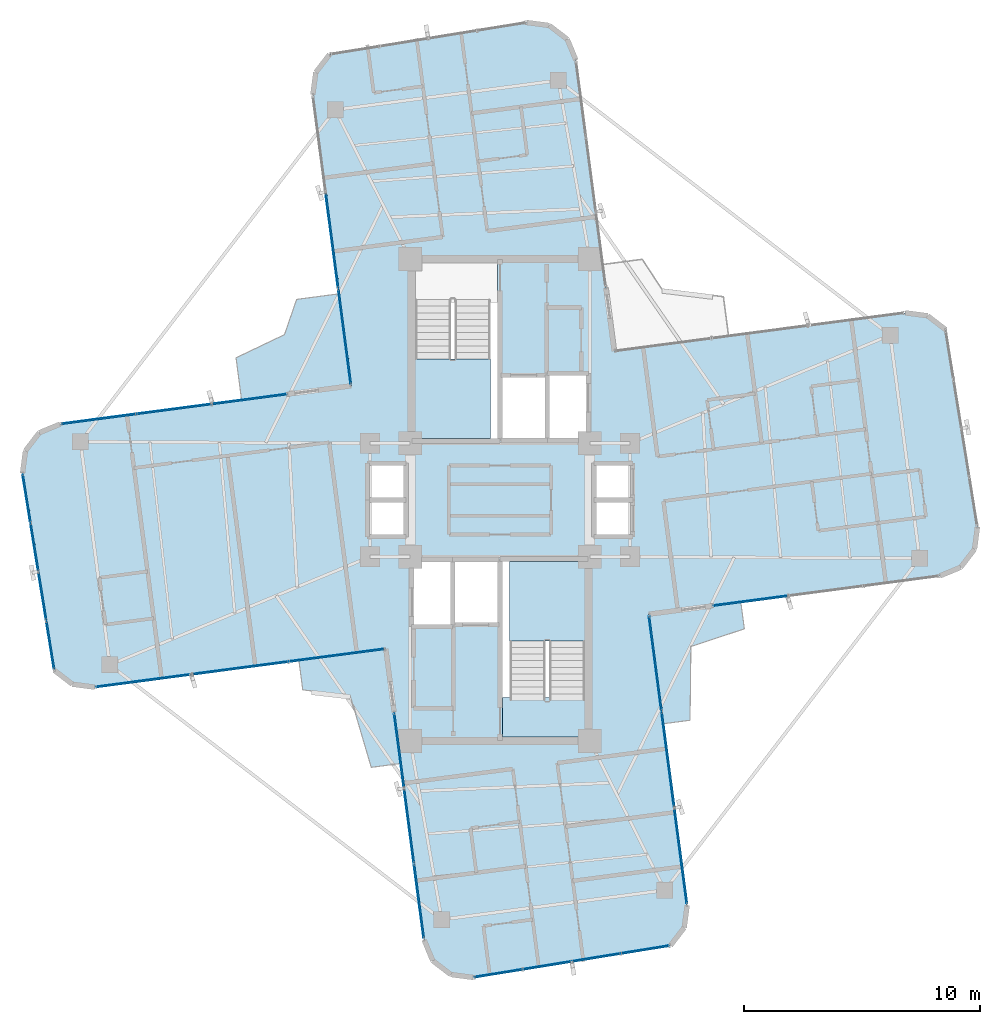
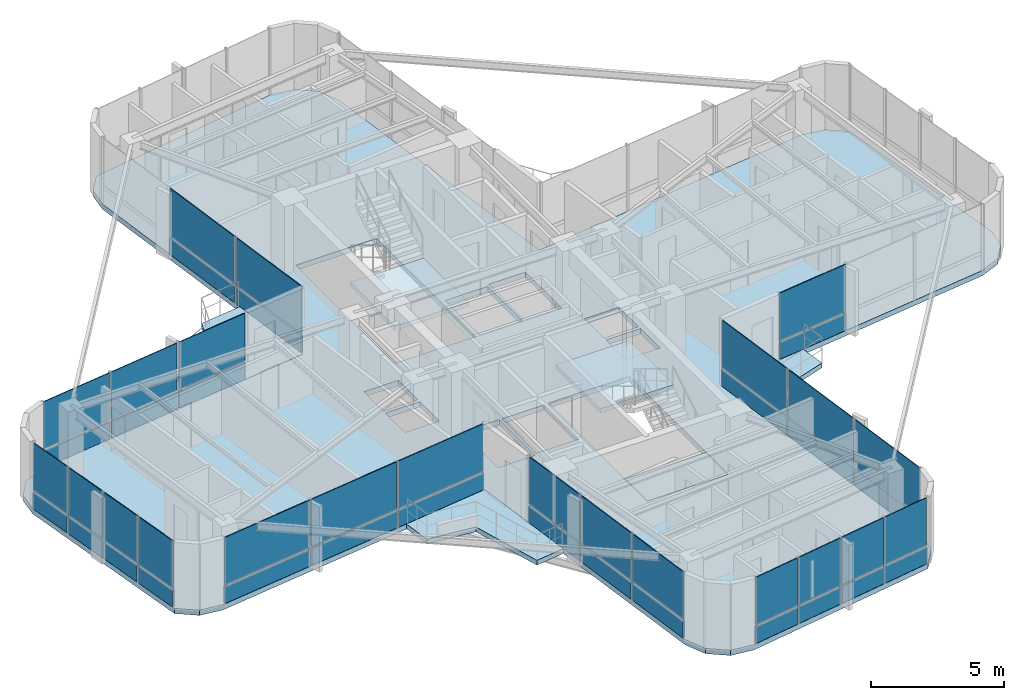
# One storey, part 17 of 22: 46 plates, 7 slabs, 10 elements without a shape of their own.
"""IFC4 building model written with IfcOpenShell, lengths in metres."""

from ifc_helpers import new_model, si_unit, direction, frame, origin, origin_2d, place, context, subcontext, project, spatial, polyline, rectangle, outline, extrude, source, transform, mapped, material, layer, layer_set, type_object, element, aggregate, save


model = new_model("IFC4")

# Units and contexts
model_context = context("Model", 3, precision=1e-05, world=origin(), true_north=direction((0.0, 1.0)))
body_context = subcontext(model_context, "Body", "Model", "MODEL_VIEW")
ifc_project = project(units=[si_unit("LENGTHUNIT", "METRE"), si_unit("AREAUNIT", "SQUARE_METRE"), si_unit("VOLUMEUNIT", "CUBIC_METRE"), si_unit("PLANEANGLEUNIT", "RADIAN"), si_unit("MASSUNIT", "GRAM", prefix="KILO")], contexts=[model_context])

# Site, building, storey
site_placement = place(None, origin())
site = spatial("IfcSite", under=ifc_project, at=site_placement, CompositionType="ELEMENT")
building_placement = place(site_placement, origin())
building = spatial("IfcBuilding", under=site, at=building_placement, Name="Sahyath Konkavel Grand Hotel", CompositionType="ELEMENT")
storey_placement = place(building_placement, frame((0.0, 0.0, 247.85009765625)))
storey = spatial("IfcBuildingStorey", under=building, at=storey_placement, Name="L69", CompositionType="ELEMENT", Elevation=247.85009765625)

# Slabs
ifc_material_1 = material(Name="Concrete C40/50", Category="concrete")
ifc_layer_1 = layer(ifc_material_1, 0.239990234375)
ifc_layer_set_1 = layer_set([ifc_layer_1], Name="Concrete C40/50")
slab_type_1 = type_object("IfcSlabType", Name="SLB-240", PredefinedType="FLOOR", material=ifc_layer_set_1)
slab_1_placement = place(storey_placement, frame((0.0, 0.0, -0.239990234375)))
element("IfcSlab", 1, at=slab_1_placement, inside=storey, type_object=slab_type_1, Name="L69 Structural Floor Slab", PredefinedType="FLOOR", context=body_context, shape_type="SweptSolid", body=[
    extrude(outline(polyline([(6.297607421875, -4.832275390625), (18.6083984375, -3.211669921875), (19.4931640625, -2.84521484375), (20.076171875, -2.08544921875), (20.201171875, -1.135986328125), (18.852294921875, 7.21044921875), (18.092529296875, 7.79345703125), (17.14306640625, 7.91845703125), (4.832275390625, 6.297607421875), (3.211669921875, 18.6083984375), (2.84521484375, 19.4931640625), (2.08544921875, 20.076171875), (1.135986328125, 20.201171875), (-7.21044921875, 18.852294921875), (-7.79345703125, 18.092529296875), (-7.91845703125, 17.14306640625), (-6.297607421875, 4.832275390625), (-18.6083984375, 3.211669921875), (-19.4931640625, 2.84521484375), (-20.076171875, 2.08544921875), (-20.201171875, 1.135986328125), (-18.852294921875, -7.21044921875), (-18.092529296875, -7.79345703125), (-17.14306640625, -7.91845703125), (-4.832275390625, -6.297607421875), (-3.211669921875, -18.6083984375), (-2.84521484375, -19.4931640625), (-2.08544921875, -20.076171875), (-1.135986328125, -20.201171875), (7.21044921875, -18.852294921875), (7.79345703125, -18.092529296875), (7.91845703125, -17.14306640625), (6.297607421875, -4.832275390625)]), holes=[polyline([(-3.6201171875, 2.580078125), (-0.10009765625, 2.580078125), (-0.10009765625, 10.02001953125), (-3.6201171875, 10.02001953125), (-3.6201171875, 2.580078125)]), polyline([(0.10009765625, -10.02001953125), (3.6201171875, -10.02001953125), (3.6201171875, -2.580078125), (0.10009765625, -2.580078125), (0.10009765625, -10.02001953125)]), polyline([(0.10009765625, 2.60009765625), (1.949951171875, 2.60009765625), (1.949951171875, 5.199951171875), (0.10009765625, 5.199951171875), (0.10009765625, 2.60009765625)]), polyline([(-1.949951171875, -5.199951171875), (-0.10009765625, -5.199951171875), (-0.10009765625, -2.60009765625), (-1.949951171875, -2.60009765625), (-1.949951171875, -5.199951171875)]), polyline([(2.050048828125, 2.60009765625), (3.64990234375, 2.60009765625), (3.64990234375, 5.300048828125), (2.050048828125, 5.300048828125), (2.050048828125, 2.60009765625)]), polyline([(-3.64990234375, -5.300048828125), (-2.050048828125, -5.300048828125), (-2.050048828125, -2.60009765625), (-3.64990234375, -2.60009765625), (-3.64990234375, -5.300048828125)]), polyline([(4.050048828125, 0.080078125), (5.550048828125, 0.080078125), (5.550048828125, 1.5400390625), (4.050048828125, 1.5400390625), (4.050048828125, 0.080078125)]), polyline([(4.050048828125, -1.5400390625), (5.550048828125, -1.5400390625), (5.550048828125, -0.080078125), (4.050048828125, -0.080078125), (4.050048828125, -1.5400390625)]), polyline([(-5.550048828125, 0.080078125), (-4.050048828125, 0.080078125), (-4.050048828125, 1.5400390625), (-5.550048828125, 1.5400390625), (-5.550048828125, 0.080078125)]), polyline([(-5.550048828125, -1.5400390625), (-4.050048828125, -1.5400390625), (-4.050048828125, -0.080078125), (-5.550048828125, -0.080078125), (-5.550048828125, -1.5400390625)])]), origin(), (0.0, 0.0, 1.0), 0.239990234375),
])
ifc_layer_2 = layer(ifc_material_1, 0.219970703125)
ifc_layer_set_2 = layer_set([ifc_layer_2], Name="Concrete C40/50")
slab_type_2 = type_object("IfcSlabType", Name="SLB-BALCONY-220", PredefinedType="FLOOR", material=ifc_layer_set_2)
slab_2_placement = place(storey_placement, frame((0.0, 0.0, -0.22021484375)))
element("IfcSlab", 2, at=slab_2_placement, inside=storey, type_object=slab_type_2, Name="L69 Winter-Garden Balcony NW", PredefinedType="FLOOR", context=body_context, shape_type="SweptSolid", body=[
    extrude(outline(polyline([(-6.297607421875, 4.832275390625), (-6.809814453125, 8.723876953125), (-8.6044921875, 8.487548828125), (-9.118408203125, 6.99658203125), (-11.1689453125, 6.0166015625), (-10.9326171875, 4.22216796875), (-6.297607421875, 4.832275390625)])), origin(), (0.0, 0.0, 1.0), 0.22021484375),
])
slab_3_placement = place(storey_placement, frame((0.0, 0.0, -0.22021484375)))
element("IfcSlab", 3, at=slab_3_placement, inside=storey, type_object=slab_type_2, Name="L69 Winter-Garden Balcony SW", PredefinedType="FLOOR", context=body_context, shape_type="SweptSolid", body=[
    extrude(outline(polyline([(-4.832275390625, -6.297607421875), (-8.509521484375, -6.78173828125), (-8.3447265625, -8.034423828125), (-6.34326171875, -8.2666015625), (-5.44677734375, -11.311767578125), (-4.19384765625, -11.146728515625), (-4.832275390625, -6.297607421875)])), origin(), (0.0, 0.0, 1.0), 0.22021484375),
])
slab_4_placement = place(storey_placement, frame((0.0, 0.0, -0.22021484375)))
element("IfcSlab", 4, at=slab_4_placement, inside=storey, type_object=slab_type_2, Name="L69 Winter-Garden Balcony SE", PredefinedType="FLOOR", context=body_context, shape_type="SweptSolid", body=[
    extrude(outline(polyline([(6.297607421875, -4.832275390625), (6.90771484375, -9.46728515625), (8.0400390625, -9.318359375), (8.0771484375, -6.19775390625), (10.338134765625, -5.4521484375), (10.18896484375, -4.320068359375), (6.297607421875, -4.832275390625)])), origin(), (0.0, 0.0, 1.0), 0.22021484375),
])

# Stair, slab
stair_type = type_object("IfcStairType", Name="STR-ST16-335", PredefinedType="HALF_TURN_STAIR", material=ifc_material_1)
stair_1_placement = place(storey_placement, origin())
stair_1 = element("IfcStair", 5, at=stair_1_placement, inside=storey, type_object=stair_type, Name="L69 North Core Smokeproof Exit Stair ST-1", PredefinedType="HALF_TURN_STAIR")
ifc_layer_3 = layer(ifc_material_1, 0.199951171875)
ifc_layer_set_3 = layer_set([ifc_layer_3], Name="Concrete C40/50")
slab_type_3 = type_object("IfcSlabType", Name="SLB-STAIR-LND", PredefinedType="LANDING", material=ifc_layer_set_3)
slab_5_placement = place(storey_placement, frame((0.0, 0.0, 1.474853515625)))
slab_5 = element("IfcSlab", 6, at=slab_5_placement, type_object=slab_type_3, Name="ST-1 landing 1", PredefinedType="LANDING", context=body_context, shape_type="SweptSolid", body=[
    extrude(outline(polyline([(-3.60009765625, 5.9599609375), (-3.60009765625, 2.60009765625), (-0.39990234375, 2.60009765625), (-0.39990234375, 5.9599609375), (-3.60009765625, 5.9599609375)])), origin(), (0.0, 0.0, 1.0), 0.199951171875),
])
aggregate(stair_1, [slab_5])

stair_2_placement = place(storey_placement, origin())
stair_2 = element("IfcStair", 7, at=stair_2_placement, inside=storey, type_object=stair_type, Name="L69 South Core Smokeproof Exit Stair ST-2", PredefinedType="HALF_TURN_STAIR")
slab_6_placement = place(storey_placement, frame((0.0, 0.0, 1.474853515625)))
slab_6 = element("IfcSlab", 8, at=slab_6_placement, type_object=slab_type_3, Name="ST-2 landing 1", PredefinedType="LANDING", context=body_context, shape_type="SweptSolid", body=[
    extrude(outline(polyline([(3.60009765625, -5.9599609375), (3.60009765625, -2.60009765625), (0.39990234375, -2.60009765625), (0.39990234375, -5.9599609375), (3.60009765625, -5.9599609375)])), origin(), (0.0, 0.0, 1.0), 0.199951171875),
])
aggregate(stair_2, [slab_6])

# Slab
slab_7_placement = place(storey_placement, frame((0.0, 0.0, -0.2001953125)))
element("IfcSlab", 9, at=slab_7_placement, inside=storey, type_object=slab_type_3, Name="L69 Stair ST-2 Floor Landing Slab", PredefinedType="LANDING", context=body_context, shape_type="SweptSolid", body=[
    extrude(outline(polyline([(0.10009765625, -10.02001953125), (3.6201171875, -10.02001953125), (3.6201171875, -8.35009765625), (0.10009765625, -8.35009765625), (0.10009765625, -10.02001953125)])), origin(), (0.0, 0.0, 1.0), 0.2001953125),
])

# Curtain wall, plate
ifc_material_2 = material(Name="Anodised Bronze Aluminium & Low-E Glazing", Category="aluminium")
curtain_wall_type = type_object("IfcCurtainWallType", Name="CW-ZONE4", PredefinedType="NOTDEFINED", material=ifc_material_2)
curtain_wall_1_placement = place(storey_placement, origin())
curtain_wall_1 = element("IfcCurtainWall", 10, at=curtain_wall_1_placement, inside=storey, type_object=curtain_wall_type, Name="L69 Unitised Curtain Wall F0", PredefinedType="NOTDEFINED")
ifc_material_3 = material(Name="Warm Buff Sandstone Cladding", Category="masonry")
ifc_layer_4 = layer(ifc_material_3, 0.074951171875)
ifc_layer_set_4 = layer_set([ifc_layer_4], Name="Warm Buff Sandstone Cladding")
plate_type_1 = type_object("IfcPlateType", Name="PNL-SPANDREL-STONE", PredefinedType="SHEET", material=ifc_layer_set_4)
shared_shape_1 = source(origin(), body_context, "Body", "SweptSolid", [
    extrude(rectangle(XDim=3.13232421875, YDim=0.074951171875, at=origin_2d()), origin(), (0.0, 0.0, 1.0), 0.77001953125),
])
plate_1_placement = place(storey_placement, frame((10.606689453125, -4.26513671875, 0.039794921875), z_axis=(0.0, 0.0, 1.0), x_axis=(0.991444861374, 0.13052619222, 0.0)))
plate_1 = element("IfcPlate", 11, at=plate_1_placement, type_object=plate_type_1, Name="L69 Sandstone Relief Spandrel Panel F0-0", PredefinedType="SHEET", context=body_context, shape_type="MappedRepresentation", body=[
    mapped(shared_shape_1, transform((0.0, 0.0, 0.0), scale=1.0)),
])

# Curtain wall, plates
curtain_wall_2_placement = place(storey_placement, origin())
curtain_wall_2 = element("IfcCurtainWall", 12, at=curtain_wall_2_placement, inside=storey, type_object=curtain_wall_type, Name="L69 Unitised Curtain Wall F16", PredefinedType="NOTDEFINED")
plate_2_placement = place(storey_placement, frame((-10.606689453125, 4.26513671875, 0.039794921875), z_axis=(0.0, 0.0, 1.0), x_axis=(-0.991444861374, -0.13052619222, 0.0)))
plate_2 = element("IfcPlate", 13, at=plate_2_placement, type_object=plate_type_1, Name="L69 Sandstone Relief Spandrel Panel F16-0", PredefinedType="SHEET", context=body_context, shape_type="MappedRepresentation", body=[
    mapped(shared_shape_1, transform((0.0, 0.0, 0.0), scale=1.0)),
])
plate_3_placement = place(storey_placement, frame((-13.79150390625, 3.845703125, 0.039794921875), z_axis=(0.0, 0.0, 1.0), x_axis=(-0.991444861374, -0.13052619222, 0.0)))
plate_3 = element("IfcPlate", 14, at=plate_3_placement, type_object=plate_type_1, Name="L69 Sandstone Relief Spandrel Panel F16-1", PredefinedType="SHEET", context=body_context, shape_type="MappedRepresentation", body=[
    mapped(shared_shape_1, transform((0.0, 0.0, 0.0), scale=1.0)),
])
plate_4_placement = place(storey_placement, frame((-16.976318359375, 3.426513671875, 0.039794921875), z_axis=(0.0, 0.0, 1.0), x_axis=(-0.991444861374, -0.13052619222, 0.0)))
plate_4 = element("IfcPlate", 15, at=plate_4_placement, type_object=plate_type_1, Name="L69 Sandstone Relief Spandrel Panel F16-2", PredefinedType="SHEET", context=body_context, shape_type="MappedRepresentation", body=[
    mapped(shared_shape_1, transform((0.0, 0.0, 0.0), scale=1.0)),
])

curtain_wall_3_placement = place(storey_placement, origin())
curtain_wall_3 = element("IfcCurtainWall", 16, at=curtain_wall_3_placement, inside=storey, type_object=curtain_wall_type, Name="L69 Unitised Curtain Wall F24", PredefinedType="NOTDEFINED")
plate_5_placement = place(storey_placement, frame((-4.26513671875, -10.606689453125, 0.039794921875), z_axis=(0.0, 0.0, 1.0), x_axis=(0.13052619222, -0.991444861374, 0.0)))
plate_5 = element("IfcPlate", 17, at=plate_5_placement, type_object=plate_type_1, Name="L69 Sandstone Relief Spandrel Panel F24-0", PredefinedType="SHEET", context=body_context, shape_type="MappedRepresentation", body=[
    mapped(shared_shape_1, transform((0.0, 0.0, 0.0), scale=1.0)),
])
plate_6_placement = place(storey_placement, frame((-3.845703125, -13.79150390625, 0.039794921875), z_axis=(0.0, 0.0, 1.0), x_axis=(0.13052619222, -0.991444861374, 0.0)))
plate_6 = element("IfcPlate", 18, at=plate_6_placement, type_object=plate_type_1, Name="L69 Sandstone Relief Spandrel Panel F24-1", PredefinedType="SHEET", context=body_context, shape_type="MappedRepresentation", body=[
    mapped(shared_shape_1, transform((0.0, 0.0, 0.0), scale=1.0)),
])
plate_7_placement = place(storey_placement, frame((-3.426513671875, -16.976318359375, 0.039794921875), z_axis=(0.0, 0.0, 1.0), x_axis=(0.13052619222, -0.991444861374, 0.0)))
plate_7 = element("IfcPlate", 19, at=plate_7_placement, type_object=plate_type_1, Name="L69 Sandstone Relief Spandrel Panel F24-2", PredefinedType="SHEET", context=body_context, shape_type="MappedRepresentation", body=[
    mapped(shared_shape_1, transform((0.0, 0.0, 0.0), scale=1.0)),
])

# Plate
ifc_material_4 = material(Name="Low-E Solar Control Double Glazing", Category="glass")
ifc_layer_5 = layer(ifc_material_4, 0.035888671875)
ifc_layer_set_5 = layer_set([ifc_layer_5], Name="Low-E Solar Control Double Glazing")
plate_type_2 = type_object("IfcPlateType", Name="PNL-VISION-LOWE", PredefinedType="CURTAIN_PANEL", material=ifc_layer_set_5)
shared_shape_2 = source(origin(), body_context, "Body", "SweptSolid", [
    extrude(rectangle(XDim=3.13232421875, YDim=0.035888671875, at=origin_2d()), origin(), (0.0, 0.0, 1.0), 2.179931640625),
])
plate_8_placement = place(storey_placement, frame((10.606689453125, -4.26513671875, 0.89013671875), z_axis=(0.0, 0.0, 1.0), x_axis=(0.991444861374, 0.13052619222, 0.0)))
plate_8 = element("IfcPlate", 20, at=plate_8_placement, type_object=plate_type_2, Name="L69 Low-E Vision Glazing Panel F0-0", PredefinedType="CURTAIN_PANEL", context=body_context, shape_type="MappedRepresentation", body=[
    mapped(shared_shape_2, transform((0.0, 0.0, 0.0), scale=1.0)),
])

aggregate(curtain_wall_1, [plate_1, plate_8])

plate_9_placement = place(storey_placement, frame((-10.606689453125, 4.26513671875, 0.89013671875), z_axis=(0.0, 0.0, 1.0), x_axis=(-0.991444861374, -0.13052619222, 0.0)))
plate_9 = element("IfcPlate", 21, at=plate_9_placement, type_object=plate_type_2, Name="L69 Low-E Vision Glazing Panel F16-0", PredefinedType="CURTAIN_PANEL", context=body_context, shape_type="MappedRepresentation", body=[
    mapped(shared_shape_2, transform((0.0, 0.0, 0.0), scale=1.0)),
])

plate_10_placement = place(storey_placement, frame((-13.79150390625, 3.845703125, 0.89013671875), z_axis=(0.0, 0.0, 1.0), x_axis=(-0.991444861374, -0.13052619222, 0.0)))
plate_10 = element("IfcPlate", 22, at=plate_10_placement, type_object=plate_type_2, Name="L69 Low-E Vision Glazing Panel F16-1", PredefinedType="CURTAIN_PANEL", context=body_context, shape_type="MappedRepresentation", body=[
    mapped(shared_shape_2, transform((0.0, 0.0, 0.0), scale=1.0)),
])

plate_11_placement = place(storey_placement, frame((-16.976318359375, 3.426513671875, 0.89013671875), z_axis=(0.0, 0.0, 1.0), x_axis=(-0.991444861374, -0.13052619222, 0.0)))
plate_11 = element("IfcPlate", 23, at=plate_11_placement, type_object=plate_type_2, Name="L69 Low-E Vision Glazing Panel F16-2", PredefinedType="CURTAIN_PANEL", context=body_context, shape_type="MappedRepresentation", body=[
    mapped(shared_shape_2, transform((0.0, 0.0, 0.0), scale=1.0)),
])

aggregate(curtain_wall_2, [plate_2, plate_9, plate_3, plate_10, plate_4, plate_11])

plate_12_placement = place(storey_placement, frame((-4.26513671875, -10.606689453125, 0.89013671875), z_axis=(0.0, 0.0, 1.0), x_axis=(0.13052619222, -0.991444861374, 0.0)))
plate_12 = element("IfcPlate", 24, at=plate_12_placement, type_object=plate_type_2, Name="L69 Low-E Vision Glazing Panel F24-0", PredefinedType="CURTAIN_PANEL", context=body_context, shape_type="MappedRepresentation", body=[
    mapped(shared_shape_2, transform((0.0, 0.0, 0.0), scale=1.0)),
])

plate_13_placement = place(storey_placement, frame((-3.845703125, -13.79150390625, 0.89013671875), z_axis=(0.0, 0.0, 1.0), x_axis=(0.13052619222, -0.991444861374, 0.0)))
plate_13 = element("IfcPlate", 25, at=plate_13_placement, type_object=plate_type_2, Name="L69 Low-E Vision Glazing Panel F24-1", PredefinedType="CURTAIN_PANEL", context=body_context, shape_type="MappedRepresentation", body=[
    mapped(shared_shape_2, transform((0.0, 0.0, 0.0), scale=1.0)),
])

plate_14_placement = place(storey_placement, frame((-3.426513671875, -16.976318359375, 0.89013671875), z_axis=(0.0, 0.0, 1.0), x_axis=(0.13052619222, -0.991444861374, 0.0)))
plate_14 = element("IfcPlate", 26, at=plate_14_placement, type_object=plate_type_2, Name="L69 Low-E Vision Glazing Panel F24-2", PredefinedType="CURTAIN_PANEL", context=body_context, shape_type="MappedRepresentation", body=[
    mapped(shared_shape_2, transform((0.0, 0.0, 0.0), scale=1.0)),
])

aggregate(curtain_wall_3, [plate_5, plate_12, plate_6, plate_13, plate_7, plate_14])

# Curtain wall, plates
curtain_wall_4_placement = place(storey_placement, origin())
curtain_wall_4 = element("IfcCurtainWall", 27, at=curtain_wall_4_placement, inside=storey, type_object=curtain_wall_type, Name="L69 Unitised Curtain Wall F20", PredefinedType="NOTDEFINED")
shared_shape_3 = source(origin(), body_context, "Body", "SweptSolid", [
    extrude(rectangle(XDim=2.013671875, YDim=0.074951171875, at=origin_2d()), origin(), (0.0, 0.0, 1.0), 0.77001953125),
])
plate_15_placement = place(storey_placement, frame((-20.027587890625, 0.06298828125, 0.039794921875), z_axis=(0.0, 0.0, 1.0), x_axis=(0.159536602398, -0.987192013995, 0.0)))
plate_15 = element("IfcPlate", 28, at=plate_15_placement, type_object=plate_type_1, Name="L69 Sandstone Relief Spandrel Panel F20-0", PredefinedType="SHEET", context=body_context, shape_type="MappedRepresentation", body=[
    mapped(shared_shape_3, transform((0.0, 0.0, 0.0), scale=1.0)),
])
plate_16_placement = place(storey_placement, frame((-19.693603515625, -2.00390625, 0.039794921875), z_axis=(0.0, 0.0, 1.0), x_axis=(0.159536602398, -0.987192013995, 0.0)))
plate_16 = element("IfcPlate", 29, at=plate_16_placement, type_object=plate_type_1, Name="L69 Sandstone Relief Spandrel Panel F20-1", PredefinedType="SHEET", context=body_context, shape_type="MappedRepresentation", body=[
    mapped(shared_shape_3, transform((0.0, 0.0, 0.0), scale=1.0)),
])
plate_17_placement = place(storey_placement, frame((-19.359619140625, -4.070556640625, 0.039794921875), z_axis=(0.0, 0.0, 1.0), x_axis=(0.159536602398, -0.987192013995, 0.0)))
plate_17 = element("IfcPlate", 30, at=plate_17_placement, type_object=plate_type_1, Name="L69 Sandstone Relief Spandrel Panel F20-2", PredefinedType="SHEET", context=body_context, shape_type="MappedRepresentation", body=[
    mapped(shared_shape_3, transform((0.0, 0.0, 0.0), scale=1.0)),
])
plate_18_placement = place(storey_placement, frame((-19.025634765625, -6.137451171875, 0.039794921875), z_axis=(0.0, 0.0, 1.0), x_axis=(0.159536602398, -0.987192013995, 0.0)))
plate_18 = element("IfcPlate", 31, at=plate_18_placement, type_object=plate_type_1, Name="L69 Sandstone Relief Spandrel Panel F20-3", PredefinedType="SHEET", context=body_context, shape_type="MappedRepresentation", body=[
    mapped(shared_shape_3, transform((0.0, 0.0, 0.0), scale=1.0)),
])

curtain_wall_5_placement = place(storey_placement, origin())
curtain_wall_5 = element("IfcCurtainWall", 32, at=curtain_wall_5_placement, inside=storey, type_object=curtain_wall_type, Name="L69 Unitised Curtain Wall F28", PredefinedType="NOTDEFINED")
plate_19_placement = place(storey_placement, frame((-0.06298828125, -20.027587890625, 0.039794921875), z_axis=(0.0, 0.0, 1.0), x_axis=(0.987192013995, 0.159536602398, 0.0)))
plate_19 = element("IfcPlate", 33, at=plate_19_placement, type_object=plate_type_1, Name="L69 Sandstone Relief Spandrel Panel F28-0", PredefinedType="SHEET", context=body_context, shape_type="MappedRepresentation", body=[
    mapped(shared_shape_3, transform((0.0, 0.0, 0.0), scale=1.0)),
])
plate_20_placement = place(storey_placement, frame((2.00390625, -19.693603515625, 0.039794921875), z_axis=(0.0, 0.0, 1.0), x_axis=(0.987192013995, 0.159536602398, 0.0)))
plate_20 = element("IfcPlate", 34, at=plate_20_placement, type_object=plate_type_1, Name="L69 Sandstone Relief Spandrel Panel F28-1", PredefinedType="SHEET", context=body_context, shape_type="MappedRepresentation", body=[
    mapped(shared_shape_3, transform((0.0, 0.0, 0.0), scale=1.0)),
])
plate_21_placement = place(storey_placement, frame((4.070556640625, -19.359619140625, 0.039794921875), z_axis=(0.0, 0.0, 1.0), x_axis=(0.987192013995, 0.159536602398, 0.0)))
plate_21 = element("IfcPlate", 35, at=plate_21_placement, type_object=plate_type_1, Name="L69 Sandstone Relief Spandrel Panel F28-2", PredefinedType="SHEET", context=body_context, shape_type="MappedRepresentation", body=[
    mapped(shared_shape_3, transform((0.0, 0.0, 0.0), scale=1.0)),
])
plate_22_placement = place(storey_placement, frame((6.137451171875, -19.025634765625, 0.039794921875), z_axis=(0.0, 0.0, 1.0), x_axis=(0.987192013995, 0.159536602398, 0.0)))
plate_22 = element("IfcPlate", 36, at=plate_22_placement, type_object=plate_type_1, Name="L69 Sandstone Relief Spandrel Panel F28-3", PredefinedType="SHEET", context=body_context, shape_type="MappedRepresentation", body=[
    mapped(shared_shape_3, transform((0.0, 0.0, 0.0), scale=1.0)),
])

# Plate
shared_shape_4 = source(origin(), body_context, "Body", "SweptSolid", [
    extrude(rectangle(XDim=2.013671875, YDim=0.035888671875, at=origin_2d()), origin(), (0.0, 0.0, 1.0), 2.179931640625),
])
plate_23_placement = place(storey_placement, frame((-20.027587890625, 0.06298828125, 0.89013671875), z_axis=(0.0, 0.0, 1.0), x_axis=(0.159536602398, -0.987192013995, 0.0)))
plate_23 = element("IfcPlate", 37, at=plate_23_placement, type_object=plate_type_2, Name="L69 Low-E Vision Glazing Panel F20-0", PredefinedType="CURTAIN_PANEL", context=body_context, shape_type="MappedRepresentation", body=[
    mapped(shared_shape_4, transform((0.0, 0.0, 0.0), scale=1.0)),
])

plate_24_placement = place(storey_placement, frame((-19.693603515625, -2.00390625, 0.89013671875), z_axis=(0.0, 0.0, 1.0), x_axis=(0.159536602398, -0.987192013995, 0.0)))
plate_24 = element("IfcPlate", 38, at=plate_24_placement, type_object=plate_type_2, Name="L69 Low-E Vision Glazing Panel F20-1", PredefinedType="CURTAIN_PANEL", context=body_context, shape_type="MappedRepresentation", body=[
    mapped(shared_shape_4, transform((0.0, 0.0, 0.0), scale=1.0)),
])

plate_25_placement = place(storey_placement, frame((-19.359619140625, -4.070556640625, 0.89013671875), z_axis=(0.0, 0.0, 1.0), x_axis=(0.159536602398, -0.987192013995, 0.0)))
plate_25 = element("IfcPlate", 39, at=plate_25_placement, type_object=plate_type_2, Name="L69 Low-E Vision Glazing Panel F20-2", PredefinedType="CURTAIN_PANEL", context=body_context, shape_type="MappedRepresentation", body=[
    mapped(shared_shape_4, transform((0.0, 0.0, 0.0), scale=1.0)),
])

plate_26_placement = place(storey_placement, frame((-19.025634765625, -6.137451171875, 0.89013671875), z_axis=(0.0, 0.0, 1.0), x_axis=(0.159536602398, -0.987192013995, 0.0)))
plate_26 = element("IfcPlate", 40, at=plate_26_placement, type_object=plate_type_2, Name="L69 Low-E Vision Glazing Panel F20-3", PredefinedType="CURTAIN_PANEL", context=body_context, shape_type="MappedRepresentation", body=[
    mapped(shared_shape_4, transform((0.0, 0.0, 0.0), scale=1.0)),
])

aggregate(curtain_wall_4, [plate_15, plate_23, plate_16, plate_24, plate_17, plate_25, plate_18, plate_26])

plate_27_placement = place(storey_placement, frame((-0.06298828125, -20.027587890625, 0.89013671875), z_axis=(0.0, 0.0, 1.0), x_axis=(0.987192013995, 0.159536602398, 0.0)))
plate_27 = element("IfcPlate", 41, at=plate_27_placement, type_object=plate_type_2, Name="L69 Low-E Vision Glazing Panel F28-0", PredefinedType="CURTAIN_PANEL", context=body_context, shape_type="MappedRepresentation", body=[
    mapped(shared_shape_4, transform((0.0, 0.0, 0.0), scale=1.0)),
])

plate_28_placement = place(storey_placement, frame((2.00390625, -19.693603515625, 0.89013671875), z_axis=(0.0, 0.0, 1.0), x_axis=(0.987192013995, 0.159536602398, 0.0)))
plate_28 = element("IfcPlate", 42, at=plate_28_placement, type_object=plate_type_2, Name="L69 Low-E Vision Glazing Panel F28-1", PredefinedType="CURTAIN_PANEL", context=body_context, shape_type="MappedRepresentation", body=[
    mapped(shared_shape_4, transform((0.0, 0.0, 0.0), scale=1.0)),
])

plate_29_placement = place(storey_placement, frame((4.070556640625, -19.359619140625, 0.89013671875), z_axis=(0.0, 0.0, 1.0), x_axis=(0.987192013995, 0.159536602398, 0.0)))
plate_29 = element("IfcPlate", 43, at=plate_29_placement, type_object=plate_type_2, Name="L69 Low-E Vision Glazing Panel F28-2", PredefinedType="CURTAIN_PANEL", context=body_context, shape_type="MappedRepresentation", body=[
    mapped(shared_shape_4, transform((0.0, 0.0, 0.0), scale=1.0)),
])

plate_30_placement = place(storey_placement, frame((6.137451171875, -19.025634765625, 0.89013671875), z_axis=(0.0, 0.0, 1.0), x_axis=(0.987192013995, 0.159536602398, 0.0)))
plate_30 = element("IfcPlate", 44, at=plate_30_placement, type_object=plate_type_2, Name="L69 Low-E Vision Glazing Panel F28-3", PredefinedType="CURTAIN_PANEL", context=body_context, shape_type="MappedRepresentation", body=[
    mapped(shared_shape_4, transform((0.0, 0.0, 0.0), scale=1.0)),
])

aggregate(curtain_wall_5, [plate_19, plate_27, plate_20, plate_28, plate_21, plate_29, plate_22, plate_30])

# Curtain wall, plates
curtain_wall_6_placement = place(storey_placement, origin())
curtain_wall_6 = element("IfcCurtainWall", 45, at=curtain_wall_6_placement, inside=storey, type_object=curtain_wall_type, Name="L69 Unitised Curtain Wall F15", PredefinedType="NOTDEFINED")
shared_shape_5 = source(origin(), body_context, "Body", "SweptSolid", [
    extrude(rectangle(XDim=4.0322265625, YDim=0.074951171875, at=origin_2d()), origin(), (0.0, 0.0, 1.0), 0.77001953125),
])
plate_31_placement = place(storey_placement, frame((-7.10791015625, 10.98779296875, 0.039794921875), z_axis=(0.0, 0.0, 1.0), x_axis=(0.13052619222, -0.991444861374, 0.0)))
plate_31 = element("IfcPlate", 46, at=plate_31_placement, type_object=plate_type_1, Name="L69 Sandstone Relief Spandrel Panel F15-1", PredefinedType="SHEET", context=body_context, shape_type="MappedRepresentation", body=[
    mapped(shared_shape_5, transform((0.0, 0.0, 0.0), scale=1.0)),
])
plate_32_placement = place(storey_placement, frame((-6.5712890625, 6.910400390625, 0.039794921875), z_axis=(0.0, 0.0, 1.0), x_axis=(0.13052619222, -0.991444861374, 0.0)))
plate_32 = element("IfcPlate", 47, at=plate_32_placement, type_object=plate_type_1, Name="L69 Sandstone Relief Spandrel Panel F15-2", PredefinedType="SHEET", context=body_context, shape_type="MappedRepresentation", body=[
    mapped(shared_shape_5, transform((0.0, 0.0, 0.0), scale=1.0)),
])

curtain_wall_7_placement = place(storey_placement, origin())
curtain_wall_7 = element("IfcCurtainWall", 48, at=curtain_wall_7_placement, inside=storey, type_object=curtain_wall_type, Name="L69 Unitised Curtain Wall F23", PredefinedType="NOTDEFINED")
plate_33_placement = place(storey_placement, frame((-15.064697265625, -7.644775390625, 0.039794921875), z_axis=(0.0, 0.0, 1.0), x_axis=(0.991444861374, 0.13052619222, 0.0)))
plate_33 = element("IfcPlate", 49, at=plate_33_placement, type_object=plate_type_1, Name="L69 Sandstone Relief Spandrel Panel F23-0", PredefinedType="SHEET", context=body_context, shape_type="MappedRepresentation", body=[
    mapped(shared_shape_5, transform((0.0, 0.0, 0.0), scale=1.0)),
])
plate_34_placement = place(storey_placement, frame((-10.98779296875, -7.10791015625, 0.039794921875), z_axis=(0.0, 0.0, 1.0), x_axis=(0.991444861374, 0.13052619222, 0.0)))
plate_34 = element("IfcPlate", 50, at=plate_34_placement, type_object=plate_type_1, Name="L69 Sandstone Relief Spandrel Panel F23-1", PredefinedType="SHEET", context=body_context, shape_type="MappedRepresentation", body=[
    mapped(shared_shape_5, transform((0.0, 0.0, 0.0), scale=1.0)),
])
plate_35_placement = place(storey_placement, frame((-6.910400390625, -6.5712890625, 0.039794921875), z_axis=(0.0, 0.0, 1.0), x_axis=(0.991444861374, 0.13052619222, 0.0)))
plate_35 = element("IfcPlate", 51, at=plate_35_placement, type_object=plate_type_1, Name="L69 Sandstone Relief Spandrel Panel F23-2", PredefinedType="SHEET", context=body_context, shape_type="MappedRepresentation", body=[
    mapped(shared_shape_5, transform((0.0, 0.0, 0.0), scale=1.0)),
])

curtain_wall_8_placement = place(storey_placement, origin())
curtain_wall_8 = element("IfcCurtainWall", 52, at=curtain_wall_8_placement, inside=storey, type_object=curtain_wall_type, Name="L69 Unitised Curtain Wall F31", PredefinedType="NOTDEFINED")
plate_36_placement = place(storey_placement, frame((7.644775390625, -15.064697265625, 0.039794921875), z_axis=(0.0, 0.0, 1.0), x_axis=(-0.13052619222, 0.991444861374, 0.0)))
plate_36 = element("IfcPlate", 53, at=plate_36_placement, type_object=plate_type_1, Name="L69 Sandstone Relief Spandrel Panel F31-0", PredefinedType="SHEET", context=body_context, shape_type="MappedRepresentation", body=[
    mapped(shared_shape_5, transform((0.0, 0.0, 0.0), scale=1.0)),
])
plate_37_placement = place(storey_placement, frame((7.10791015625, -10.98779296875, 0.039794921875), z_axis=(0.0, 0.0, 1.0), x_axis=(-0.13052619222, 0.991444861374, 0.0)))
plate_37 = element("IfcPlate", 54, at=plate_37_placement, type_object=plate_type_1, Name="L69 Sandstone Relief Spandrel Panel F31-1", PredefinedType="SHEET", context=body_context, shape_type="MappedRepresentation", body=[
    mapped(shared_shape_5, transform((0.0, 0.0, 0.0), scale=1.0)),
])
plate_38_placement = place(storey_placement, frame((6.5712890625, -6.910400390625, 0.039794921875), z_axis=(0.0, 0.0, 1.0), x_axis=(-0.13052619222, 0.991444861374, 0.0)))
plate_38 = element("IfcPlate", 55, at=plate_38_placement, type_object=plate_type_1, Name="L69 Sandstone Relief Spandrel Panel F31-2", PredefinedType="SHEET", context=body_context, shape_type="MappedRepresentation", body=[
    mapped(shared_shape_5, transform((0.0, 0.0, 0.0), scale=1.0)),
])

# Plate
shared_shape_6 = source(origin(), body_context, "Body", "SweptSolid", [
    extrude(rectangle(XDim=4.0322265625, YDim=0.035888671875, at=origin_2d()), origin(), (0.0, 0.0, 1.0), 2.179931640625),
])
plate_39_placement = place(storey_placement, frame((-7.10791015625, 10.98779296875, 0.89013671875), z_axis=(0.0, 0.0, 1.0), x_axis=(0.13052619222, -0.991444861374, 0.0)))
plate_39 = element("IfcPlate", 56, at=plate_39_placement, type_object=plate_type_2, Name="L69 Low-E Vision Glazing Panel F15-1", PredefinedType="CURTAIN_PANEL", context=body_context, shape_type="MappedRepresentation", body=[
    mapped(shared_shape_6, transform((0.0, 0.0, 0.0), scale=1.0)),
])

plate_40_placement = place(storey_placement, frame((-6.5712890625, 6.910400390625, 0.89013671875), z_axis=(0.0, 0.0, 1.0), x_axis=(0.13052619222, -0.991444861374, 0.0)))
plate_40 = element("IfcPlate", 57, at=plate_40_placement, type_object=plate_type_2, Name="L69 Low-E Vision Glazing Panel F15-2", PredefinedType="CURTAIN_PANEL", context=body_context, shape_type="MappedRepresentation", body=[
    mapped(shared_shape_6, transform((0.0, 0.0, 0.0), scale=1.0)),
])

aggregate(curtain_wall_6, [plate_31, plate_39, plate_32, plate_40])

plate_41_placement = place(storey_placement, frame((-15.064697265625, -7.644775390625, 0.89013671875), z_axis=(0.0, 0.0, 1.0), x_axis=(0.991444861374, 0.13052619222, 0.0)))
plate_41 = element("IfcPlate", 58, at=plate_41_placement, type_object=plate_type_2, Name="L69 Low-E Vision Glazing Panel F23-0", PredefinedType="CURTAIN_PANEL", context=body_context, shape_type="MappedRepresentation", body=[
    mapped(shared_shape_6, transform((0.0, 0.0, 0.0), scale=1.0)),
])

plate_42_placement = place(storey_placement, frame((-10.98779296875, -7.10791015625, 0.89013671875), z_axis=(0.0, 0.0, 1.0), x_axis=(0.991444861374, 0.13052619222, 0.0)))
plate_42 = element("IfcPlate", 59, at=plate_42_placement, type_object=plate_type_2, Name="L69 Low-E Vision Glazing Panel F23-1", PredefinedType="CURTAIN_PANEL", context=body_context, shape_type="MappedRepresentation", body=[
    mapped(shared_shape_6, transform((0.0, 0.0, 0.0), scale=1.0)),
])

plate_43_placement = place(storey_placement, frame((-6.910400390625, -6.5712890625, 0.89013671875), z_axis=(0.0, 0.0, 1.0), x_axis=(0.991444861374, 0.13052619222, 0.0)))
plate_43 = element("IfcPlate", 60, at=plate_43_placement, type_object=plate_type_2, Name="L69 Low-E Vision Glazing Panel F23-2", PredefinedType="CURTAIN_PANEL", context=body_context, shape_type="MappedRepresentation", body=[
    mapped(shared_shape_6, transform((0.0, 0.0, 0.0), scale=1.0)),
])

aggregate(curtain_wall_7, [plate_33, plate_41, plate_34, plate_42, plate_35, plate_43])

plate_44_placement = place(storey_placement, frame((7.644775390625, -15.064697265625, 0.89013671875), z_axis=(0.0, 0.0, 1.0), x_axis=(-0.13052619222, 0.991444861374, 0.0)))
plate_44 = element("IfcPlate", 61, at=plate_44_placement, type_object=plate_type_2, Name="L69 Low-E Vision Glazing Panel F31-0", PredefinedType="CURTAIN_PANEL", context=body_context, shape_type="MappedRepresentation", body=[
    mapped(shared_shape_6, transform((0.0, 0.0, 0.0), scale=1.0)),
])

plate_45_placement = place(storey_placement, frame((7.10791015625, -10.98779296875, 0.89013671875), z_axis=(0.0, 0.0, 1.0), x_axis=(-0.13052619222, 0.991444861374, 0.0)))
plate_45 = element("IfcPlate", 62, at=plate_45_placement, type_object=plate_type_2, Name="L69 Low-E Vision Glazing Panel F31-1", PredefinedType="CURTAIN_PANEL", context=body_context, shape_type="MappedRepresentation", body=[
    mapped(shared_shape_6, transform((0.0, 0.0, 0.0), scale=1.0)),
])

plate_46_placement = place(storey_placement, frame((6.5712890625, -6.910400390625, 0.89013671875), z_axis=(0.0, 0.0, 1.0), x_axis=(-0.13052619222, 0.991444861374, 0.0)))
plate_46 = element("IfcPlate", 63, at=plate_46_placement, type_object=plate_type_2, Name="L69 Low-E Vision Glazing Panel F31-2", PredefinedType="CURTAIN_PANEL", context=body_context, shape_type="MappedRepresentation", body=[
    mapped(shared_shape_6, transform((0.0, 0.0, 0.0), scale=1.0)),
])

aggregate(curtain_wall_8, [plate_36, plate_44, plate_37, plate_45, plate_38, plate_46])

save(model, "model.ifc")
